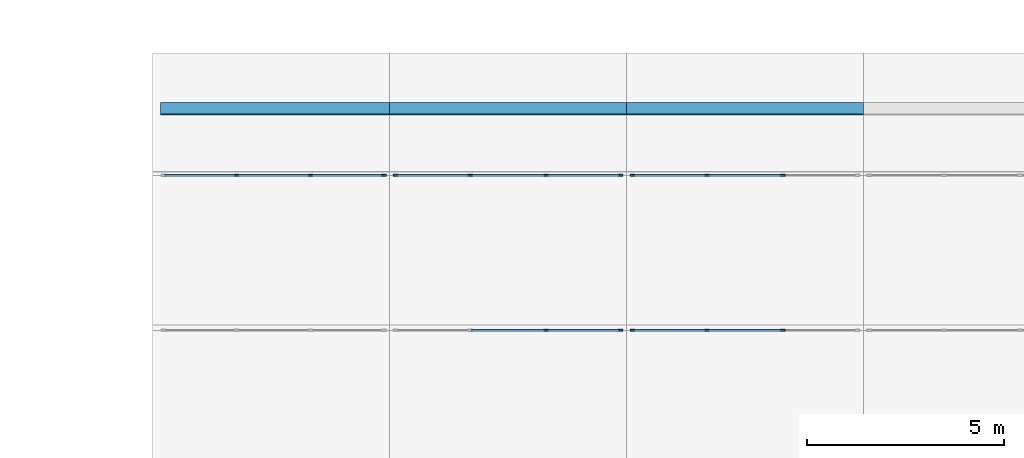
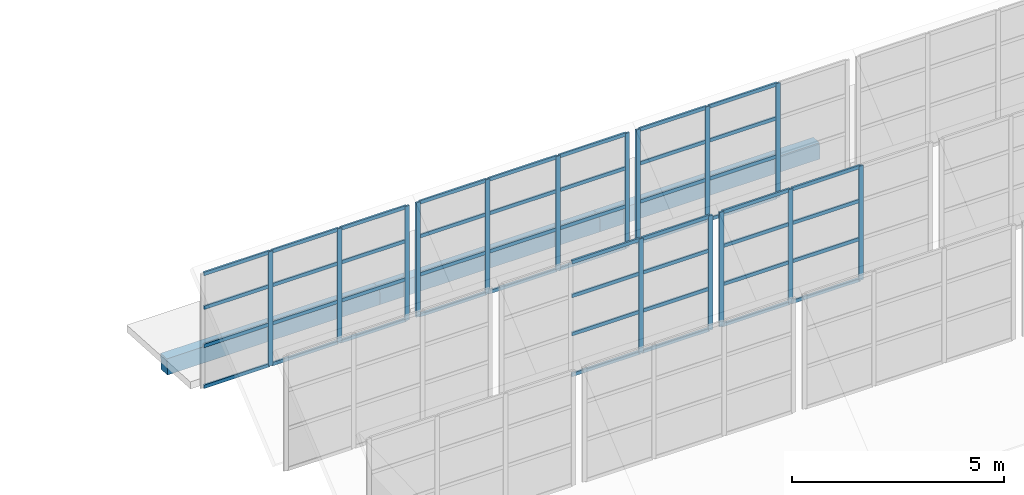
# One storey, part 26 of 122: 63 members, 3 beams, 5 elements without a shape of their own.
"""IFC4 building model written with IfcOpenShell, lengths in metres."""

from ifc_helpers import new_model, si_unit, direction, frame, origin, origin_2d, place, context, subcontext, project, spatial, rectangle, extrude, material, layer, layer_set, material_profile, profile_set, type_object, element, aggregate, save


model = new_model("IFC4")

# Units and contexts
model_context = context("Model", 3, precision=1e-05, world=origin(), true_north=direction((0.0, 1.0)))
body_context = subcontext(model_context, "Body", "Model", "MODEL_VIEW")
ifc_project = project(units=[si_unit("LENGTHUNIT", "METRE"), si_unit("AREAUNIT", "SQUARE_METRE"), si_unit("VOLUMEUNIT", "CUBIC_METRE"), si_unit("PLANEANGLEUNIT", "RADIAN"), si_unit("MASSUNIT", "GRAM", prefix="KILO")], contexts=[model_context])

# Site, building, storey
site_placement = place(None, origin())
site = spatial("IfcSite", under=ifc_project, at=site_placement, CompositionType="ELEMENT")
building_placement = place(site_placement, origin())
building = spatial("IfcBuilding", under=site, at=building_placement, Name="Ridgestep Commons", CompositionType="ELEMENT")
storey_placement = place(building_placement, frame((0.0, 0.0, 3.0)))
storey = spatial("IfcBuildingStorey", under=building, at=storey_placement, Name="L01", CompositionType="ELEMENT", Elevation=3.0)

# Beams
ifc_material_1 = material(Name="Precast concrete C40/50", Category="concrete")
ifc_material_profile_1 = material_profile(ifc_material_1, rectangle(XDim=0.300048828125, YDim=0.449951171875, at=origin_2d()), Name="Arcade beam 300 x 450")
ifc_profile_set_1 = profile_set([ifc_material_profile_1], Name="Precast concrete C40/50")
beam_type = type_object("IfcBeamType", Name="Arcade beam 300 x 450", PredefinedType="BEAM", material=ifc_profile_set_1)
beam_placement = place(storey_placement, frame((176.0, 47.58642578125, 0.87939453125), z_axis=(1.0, 0.0, 0.0), x_axis=(0.0, 0.998204845466, -0.05989229072)))
element("IfcBeam", 1, at=beam_placement, inside=storey, type_object=beam_type, Name="Arcade beam", PredefinedType="BEAM", context=body_context, shape_type="SweptSolid", body=[
    extrude(rectangle(XDim=0.300048828125, YDim=0.449951171875, at=origin_2d()), origin(), (0.0, 0.0, 1.0), 5.800048828125),
])
for number, where, z_axis, x_axis, name in (
    (2, (181.800048828125, 47.58642578125, 0.87939453125), (1.0, 0.0, 0.0), (0.0, 0.998204845466, -0.05989229072), "Arcade beam"),
    (3, (187.800048828125, 47.58642578125, 0.87939453125), (1.0, 0.0, 0.0), (0.0, 0.998204845466, -0.05989229072), "Arcade beam"),
):
    element("IfcBeam", number, at=place(storey_placement, frame(where, z_axis=z_axis, x_axis=x_axis)), inside=storey, type_object=beam_type, Name=name, PredefinedType="BEAM", context=body_context, shape_type="SweptSolid", body=[
        extrude(rectangle(XDim=0.300048828125, YDim=0.449951171875, at=origin_2d()), origin(), (0.0, 0.0, 1.0), 6.0),
    ])

# Curtain wall, members
ifc_material_2 = material(Name="Aluminium and glass", Category="aluminium")
ifc_layer = layer(ifc_material_2, 0.14990234375)
ifc_layer_set = layer_set([ifc_layer], Name="Shop clerestory curtain wall")
curtain_wall_type = type_object("IfcCurtainWallType", Name="Shop clerestory curtain wall", PredefinedType="NOTDEFINED", material=ifc_layer_set)
curtain_wall_1_placement = place(storey_placement, origin())
curtain_wall_1 = element("IfcCurtainWall", 4, at=curtain_wall_1_placement, inside=storey, type_object=curtain_wall_type, Name="Shop clerestory curtain wall", PredefinedType="NOTDEFINED")
ifc_material_3 = material(Name="Aluminium", Category="aluminium")
ifc_material_profile_2 = material_profile(ifc_material_3, rectangle(XDim=0.050048828125, YDim=0.1201171875, at=origin_2d()), Name="Shop clerestory mullion 50 x 120")
ifc_profile_set_2 = profile_set([ifc_material_profile_2], Name="Aluminium")
member_type_1 = type_object("IfcMemberType", Name="Shop clerestory mullion 50 x 120", PredefinedType="MULLION", material=ifc_profile_set_2)
member_1_placement = place(storey_placement, frame((177.925048828125, 45.89990234375, 1.199951171875), z_axis=(0.0, 0.0, 1.0), x_axis=(0.0, 1.0, 0.0)))
member_1 = element("IfcMember", 5, at=member_1_placement, type_object=member_type_1, Name="CW5 mullion 2", PredefinedType="MULLION", context=body_context, shape_type="SweptSolid", body=[
    extrude(rectangle(XDim=0.050048828125, YDim=0.1201171875, at=origin_2d()), origin(), (0.0, 0.0, 1.0), 3.300048828125),
])
member_2_placement = place(storey_placement, frame((179.800048828125, 45.89990234375, 1.199951171875), z_axis=(0.0, 0.0, 1.0), x_axis=(0.0, 1.0, 0.0)))
member_2 = element("IfcMember", 6, at=member_2_placement, type_object=member_type_1, Name="CW5 mullion 3", PredefinedType="MULLION", context=body_context, shape_type="SweptSolid", body=[
    extrude(rectangle(XDim=0.050048828125, YDim=0.1201171875, at=origin_2d()), origin(), (0.0, 0.0, 1.0), 3.300048828125),
])
member_3_placement = place(storey_placement, frame((181.64990234375, 45.89990234375, 1.199951171875), z_axis=(0.0, 0.0, 1.0), x_axis=(0.0, 1.0, 0.0)))
member_3 = element("IfcMember", 7, at=member_3_placement, type_object=member_type_1, Name="CW5 mullion 4", PredefinedType="MULLION", context=body_context, shape_type="SweptSolid", body=[
    extrude(rectangle(XDim=0.050048828125, YDim=0.1201171875, at=origin_2d()), origin(), (0.0, 0.0, 1.0), 3.300048828125),
])

curtain_wall_2_placement = place(storey_placement, origin())
curtain_wall_2 = element("IfcCurtainWall", 8, at=curtain_wall_2_placement, inside=storey, type_object=curtain_wall_type, Name="Shop clerestory curtain wall", PredefinedType="NOTDEFINED")
member_4_placement = place(storey_placement, frame((185.75830078125, 41.97509765625, 1.199951171875), z_axis=(0.0, 0.0, 1.0), x_axis=(0.0, 1.0, 0.0)))
member_4 = element("IfcMember", 9, at=member_4_placement, type_object=member_type_1, Name="CW5 mullion 3", PredefinedType="MULLION", context=body_context, shape_type="SweptSolid", body=[
    extrude(rectangle(XDim=0.050048828125, YDim=0.1201171875, at=origin_2d()), origin(), (0.0, 0.0, 1.0), 3.300048828125),
])
member_5_placement = place(storey_placement, frame((187.64990234375, 41.97509765625, 1.199951171875), z_axis=(0.0, 0.0, 1.0), x_axis=(0.0, 1.0, 0.0)))
member_5 = element("IfcMember", 10, at=member_5_placement, type_object=member_type_1, Name="CW5 mullion 4", PredefinedType="MULLION", context=body_context, shape_type="SweptSolid", body=[
    extrude(rectangle(XDim=0.050048828125, YDim=0.1201171875, at=origin_2d()), origin(), (0.0, 0.0, 1.0), 3.300048828125),
])

curtain_wall_3_placement = place(storey_placement, origin())
curtain_wall_3 = element("IfcCurtainWall", 11, at=curtain_wall_3_placement, inside=storey, type_object=curtain_wall_type, Name="Shop clerestory curtain wall", PredefinedType="NOTDEFINED")
member_6_placement = place(storey_placement, frame((181.949951171875, 45.89990234375, 1.199951171875), z_axis=(0.0, 0.0, 1.0), x_axis=(0.0, 1.0, 0.0)))
member_6 = element("IfcMember", 12, at=member_6_placement, type_object=member_type_1, Name="CW5 mullion 1", PredefinedType="MULLION", context=body_context, shape_type="SweptSolid", body=[
    extrude(rectangle(XDim=0.050048828125, YDim=0.1201171875, at=origin_2d()), origin(), (0.0, 0.0, 1.0), 3.300048828125),
])
member_7_placement = place(storey_placement, frame((183.841552734375, 45.89990234375, 1.199951171875), z_axis=(0.0, 0.0, 1.0), x_axis=(0.0, 1.0, 0.0)))
member_7 = element("IfcMember", 13, at=member_7_placement, type_object=member_type_1, Name="CW5 mullion 2", PredefinedType="MULLION", context=body_context, shape_type="SweptSolid", body=[
    extrude(rectangle(XDim=0.050048828125, YDim=0.1201171875, at=origin_2d()), origin(), (0.0, 0.0, 1.0), 3.300048828125),
])
member_8_placement = place(storey_placement, frame((185.75830078125, 45.89990234375, 1.199951171875), z_axis=(0.0, 0.0, 1.0), x_axis=(0.0, 1.0, 0.0)))
member_8 = element("IfcMember", 14, at=member_8_placement, type_object=member_type_1, Name="CW5 mullion 3", PredefinedType="MULLION", context=body_context, shape_type="SweptSolid", body=[
    extrude(rectangle(XDim=0.050048828125, YDim=0.1201171875, at=origin_2d()), origin(), (0.0, 0.0, 1.0), 3.300048828125),
])
member_9_placement = place(storey_placement, frame((187.64990234375, 45.89990234375, 1.199951171875), z_axis=(0.0, 0.0, 1.0), x_axis=(0.0, 1.0, 0.0)))
member_9 = element("IfcMember", 15, at=member_9_placement, type_object=member_type_1, Name="CW5 mullion 4", PredefinedType="MULLION", context=body_context, shape_type="SweptSolid", body=[
    extrude(rectangle(XDim=0.050048828125, YDim=0.1201171875, at=origin_2d()), origin(), (0.0, 0.0, 1.0), 3.300048828125),
])

curtain_wall_4_placement = place(storey_placement, origin())
curtain_wall_4 = element("IfcCurtainWall", 16, at=curtain_wall_4_placement, inside=storey, type_object=curtain_wall_type, Name="Shop clerestory curtain wall", PredefinedType="NOTDEFINED")
member_10_placement = place(storey_placement, frame((187.949951171875, 41.97509765625, 1.199951171875), z_axis=(0.0, 0.0, 1.0), x_axis=(0.0, 1.0, 0.0)))
member_10 = element("IfcMember", 17, at=member_10_placement, type_object=member_type_1, Name="CW5 mullion 1", PredefinedType="MULLION", context=body_context, shape_type="SweptSolid", body=[
    extrude(rectangle(XDim=0.050048828125, YDim=0.1201171875, at=origin_2d()), origin(), (0.0, 0.0, 1.0), 3.300048828125),
])
member_11_placement = place(storey_placement, frame((189.841552734375, 41.97509765625, 1.199951171875), z_axis=(0.0, 0.0, 1.0), x_axis=(0.0, 1.0, 0.0)))
member_11 = element("IfcMember", 18, at=member_11_placement, type_object=member_type_1, Name="CW5 mullion 2", PredefinedType="MULLION", context=body_context, shape_type="SweptSolid", body=[
    extrude(rectangle(XDim=0.050048828125, YDim=0.1201171875, at=origin_2d()), origin(), (0.0, 0.0, 1.0), 3.300048828125),
])
member_12_placement = place(storey_placement, frame((191.75830078125, 41.97509765625, 1.199951171875), z_axis=(0.0, 0.0, 1.0), x_axis=(0.0, 1.0, 0.0)))
member_12 = element("IfcMember", 19, at=member_12_placement, type_object=member_type_1, Name="CW5 mullion 3", PredefinedType="MULLION", context=body_context, shape_type="SweptSolid", body=[
    extrude(rectangle(XDim=0.050048828125, YDim=0.1201171875, at=origin_2d()), origin(), (0.0, 0.0, 1.0), 3.300048828125),
])

curtain_wall_5_placement = place(storey_placement, origin())
curtain_wall_5 = element("IfcCurtainWall", 20, at=curtain_wall_5_placement, inside=storey, type_object=curtain_wall_type, Name="Shop clerestory curtain wall", PredefinedType="NOTDEFINED")
member_13_placement = place(storey_placement, frame((187.949951171875, 45.89990234375, 1.199951171875), z_axis=(0.0, 0.0, 1.0), x_axis=(0.0, 1.0, 0.0)))
member_13 = element("IfcMember", 21, at=member_13_placement, type_object=member_type_1, Name="CW5 mullion 1", PredefinedType="MULLION", context=body_context, shape_type="SweptSolid", body=[
    extrude(rectangle(XDim=0.050048828125, YDim=0.1201171875, at=origin_2d()), origin(), (0.0, 0.0, 1.0), 3.300048828125),
])
member_14_placement = place(storey_placement, frame((189.841552734375, 45.89990234375, 1.199951171875), z_axis=(0.0, 0.0, 1.0), x_axis=(0.0, 1.0, 0.0)))
member_14 = element("IfcMember", 22, at=member_14_placement, type_object=member_type_1, Name="CW5 mullion 2", PredefinedType="MULLION", context=body_context, shape_type="SweptSolid", body=[
    extrude(rectangle(XDim=0.050048828125, YDim=0.1201171875, at=origin_2d()), origin(), (0.0, 0.0, 1.0), 3.300048828125),
])
member_15_placement = place(storey_placement, frame((191.75830078125, 45.89990234375, 1.199951171875), z_axis=(0.0, 0.0, 1.0), x_axis=(0.0, 1.0, 0.0)))
member_15 = element("IfcMember", 23, at=member_15_placement, type_object=member_type_1, Name="CW5 mullion 3", PredefinedType="MULLION", context=body_context, shape_type="SweptSolid", body=[
    extrude(rectangle(XDim=0.050048828125, YDim=0.1201171875, at=origin_2d()), origin(), (0.0, 0.0, 1.0), 3.300048828125),
])

# Member
ifc_material_4 = material(Name="Aluminium", Category="aluminium")
ifc_material_profile_3 = material_profile(ifc_material_4, rectangle(XDim=0.050048828125, YDim=0.10009765625, at=origin_2d()), Name="Shop clerestory transom 50 x 100")
ifc_profile_set_3 = profile_set([ifc_material_profile_3], Name="Aluminium")
member_type_2 = type_object("IfcMemberType", Name="Shop clerestory transom 50 x 100", PredefinedType="USERDEFINED", material=ifc_profile_set_3)
member_16_placement = place(storey_placement, frame((176.10009765625, 45.89990234375, 1.22509765625), z_axis=(1.0, 0.0, 0.0), x_axis=(0.0, 1.0, 0.0)))
member_16 = element("IfcMember", 24, at=member_16_placement, type_object=member_type_2, Name="CW5 transom 1.1", ObjectType="TRANSOM", PredefinedType="USERDEFINED", context=body_context, shape_type="SweptSolid", body=[
    extrude(rectangle(XDim=0.050048828125, YDim=0.10009765625, at=origin_2d()), origin(), (0.0, 0.0, 1.0), 1.7998046875),
])

member_17_placement = place(storey_placement, frame((176.10009765625, 45.89990234375, 2.39990234375), z_axis=(1.0, 0.0, 0.0), x_axis=(0.0, 1.0, 0.0)))
member_17 = element("IfcMember", 25, at=member_17_placement, type_object=member_type_2, Name="CW5 transom 1.2", ObjectType="TRANSOM", PredefinedType="USERDEFINED", context=body_context, shape_type="SweptSolid", body=[
    extrude(rectangle(XDim=0.050048828125, YDim=0.10009765625, at=origin_2d()), origin(), (0.0, 0.0, 1.0), 1.7998046875),
])

member_18_placement = place(storey_placement, frame((176.10009765625, 45.89990234375, 3.5), z_axis=(1.0, 0.0, 0.0), x_axis=(0.0, 1.0, 0.0)))
member_18 = element("IfcMember", 26, at=member_18_placement, type_object=member_type_2, Name="CW5 transom 1.3", ObjectType="TRANSOM", PredefinedType="USERDEFINED", context=body_context, shape_type="SweptSolid", body=[
    extrude(rectangle(XDim=0.050048828125, YDim=0.10009765625, at=origin_2d()), origin(), (0.0, 0.0, 1.0), 1.7998046875),
])

member_19_placement = place(storey_placement, frame((176.10009765625, 45.89990234375, 4.47509765625), z_axis=(1.0, 0.0, 0.0), x_axis=(0.0, 1.0, 0.0)))
member_19 = element("IfcMember", 27, at=member_19_placement, type_object=member_type_2, Name="CW5 transom 1.4", ObjectType="TRANSOM", PredefinedType="USERDEFINED", context=body_context, shape_type="SweptSolid", body=[
    extrude(rectangle(XDim=0.050048828125, YDim=0.10009765625, at=origin_2d()), origin(), (0.0, 0.0, 1.0), 1.7998046875),
])

member_20_placement = place(storey_placement, frame((177.949951171875, 45.89990234375, 1.22509765625), z_axis=(1.0, 0.0, 0.0), x_axis=(0.0, 1.0, 0.0)))
member_20 = element("IfcMember", 28, at=member_20_placement, type_object=member_type_2, Name="CW5 transom 2.1", ObjectType="TRANSOM", PredefinedType="USERDEFINED", context=body_context, shape_type="SweptSolid", body=[
    extrude(rectangle(XDim=0.050048828125, YDim=0.10009765625, at=origin_2d()), origin(), (0.0, 0.0, 1.0), 1.824951171875),
])

member_21_placement = place(storey_placement, frame((177.949951171875, 45.89990234375, 2.39990234375), z_axis=(1.0, 0.0, 0.0), x_axis=(0.0, 1.0, 0.0)))
member_21 = element("IfcMember", 29, at=member_21_placement, type_object=member_type_2, Name="CW5 transom 2.2", ObjectType="TRANSOM", PredefinedType="USERDEFINED", context=body_context, shape_type="SweptSolid", body=[
    extrude(rectangle(XDim=0.050048828125, YDim=0.10009765625, at=origin_2d()), origin(), (0.0, 0.0, 1.0), 1.824951171875),
])

member_22_placement = place(storey_placement, frame((177.949951171875, 45.89990234375, 3.5), z_axis=(1.0, 0.0, 0.0), x_axis=(0.0, 1.0, 0.0)))
member_22 = element("IfcMember", 30, at=member_22_placement, type_object=member_type_2, Name="CW5 transom 2.3", ObjectType="TRANSOM", PredefinedType="USERDEFINED", context=body_context, shape_type="SweptSolid", body=[
    extrude(rectangle(XDim=0.050048828125, YDim=0.10009765625, at=origin_2d()), origin(), (0.0, 0.0, 1.0), 1.824951171875),
])

member_23_placement = place(storey_placement, frame((177.949951171875, 45.89990234375, 4.47509765625), z_axis=(1.0, 0.0, 0.0), x_axis=(0.0, 1.0, 0.0)))
member_23 = element("IfcMember", 31, at=member_23_placement, type_object=member_type_2, Name="CW5 transom 2.4", ObjectType="TRANSOM", PredefinedType="USERDEFINED", context=body_context, shape_type="SweptSolid", body=[
    extrude(rectangle(XDim=0.050048828125, YDim=0.10009765625, at=origin_2d()), origin(), (0.0, 0.0, 1.0), 1.824951171875),
])

member_24_placement = place(storey_placement, frame((179.824951171875, 45.89990234375, 1.22509765625), z_axis=(1.0, 0.0, 0.0), x_axis=(0.0, 1.0, 0.0)))
member_24 = element("IfcMember", 32, at=member_24_placement, type_object=member_type_2, Name="CW5 transom 3.1", ObjectType="TRANSOM", PredefinedType="USERDEFINED", context=body_context, shape_type="SweptSolid", body=[
    extrude(rectangle(XDim=0.050048828125, YDim=0.10009765625, at=origin_2d()), origin(), (0.0, 0.0, 1.0), 1.800048828125),
])

member_25_placement = place(storey_placement, frame((179.824951171875, 45.89990234375, 2.39990234375), z_axis=(1.0, 0.0, 0.0), x_axis=(0.0, 1.0, 0.0)))
member_25 = element("IfcMember", 33, at=member_25_placement, type_object=member_type_2, Name="CW5 transom 3.2", ObjectType="TRANSOM", PredefinedType="USERDEFINED", context=body_context, shape_type="SweptSolid", body=[
    extrude(rectangle(XDim=0.050048828125, YDim=0.10009765625, at=origin_2d()), origin(), (0.0, 0.0, 1.0), 1.800048828125),
])

member_26_placement = place(storey_placement, frame((179.824951171875, 45.89990234375, 3.5), z_axis=(1.0, 0.0, 0.0), x_axis=(0.0, 1.0, 0.0)))
member_26 = element("IfcMember", 34, at=member_26_placement, type_object=member_type_2, Name="CW5 transom 3.3", ObjectType="TRANSOM", PredefinedType="USERDEFINED", context=body_context, shape_type="SweptSolid", body=[
    extrude(rectangle(XDim=0.050048828125, YDim=0.10009765625, at=origin_2d()), origin(), (0.0, 0.0, 1.0), 1.800048828125),
])

member_27_placement = place(storey_placement, frame((179.824951171875, 45.89990234375, 4.47509765625), z_axis=(1.0, 0.0, 0.0), x_axis=(0.0, 1.0, 0.0)))
member_27 = element("IfcMember", 35, at=member_27_placement, type_object=member_type_2, Name="CW5 transom 3.4", ObjectType="TRANSOM", PredefinedType="USERDEFINED", context=body_context, shape_type="SweptSolid", body=[
    extrude(rectangle(XDim=0.050048828125, YDim=0.10009765625, at=origin_2d()), origin(), (0.0, 0.0, 1.0), 1.800048828125),
])

aggregate(curtain_wall_1, [member_1, member_2, member_3, member_16, member_17, member_18, member_19, member_20, member_21, member_22, member_23, member_24, member_25, member_26, member_27])

member_28_placement = place(storey_placement, frame((183.86669921875, 41.97509765625, 1.22509765625), z_axis=(1.0, 0.0, 0.0), x_axis=(0.0, 1.0, 0.0)))
member_28 = element("IfcMember", 36, at=member_28_placement, type_object=member_type_2, Name="CW5 transom 2.1", ObjectType="TRANSOM", PredefinedType="USERDEFINED", context=body_context, shape_type="SweptSolid", body=[
    extrude(rectangle(XDim=0.050048828125, YDim=0.10009765625, at=origin_2d()), origin(), (0.0, 0.0, 1.0), 1.86669921875),
])

member_29_placement = place(storey_placement, frame((183.86669921875, 41.97509765625, 2.39990234375), z_axis=(1.0, 0.0, 0.0), x_axis=(0.0, 1.0, 0.0)))
member_29 = element("IfcMember", 37, at=member_29_placement, type_object=member_type_2, Name="CW5 transom 2.2", ObjectType="TRANSOM", PredefinedType="USERDEFINED", context=body_context, shape_type="SweptSolid", body=[
    extrude(rectangle(XDim=0.050048828125, YDim=0.10009765625, at=origin_2d()), origin(), (0.0, 0.0, 1.0), 1.86669921875),
])

member_30_placement = place(storey_placement, frame((183.86669921875, 41.97509765625, 3.5), z_axis=(1.0, 0.0, 0.0), x_axis=(0.0, 1.0, 0.0)))
member_30 = element("IfcMember", 38, at=member_30_placement, type_object=member_type_2, Name="CW5 transom 2.3", ObjectType="TRANSOM", PredefinedType="USERDEFINED", context=body_context, shape_type="SweptSolid", body=[
    extrude(rectangle(XDim=0.050048828125, YDim=0.10009765625, at=origin_2d()), origin(), (0.0, 0.0, 1.0), 1.86669921875),
])

member_31_placement = place(storey_placement, frame((183.86669921875, 41.97509765625, 4.47509765625), z_axis=(1.0, 0.0, 0.0), x_axis=(0.0, 1.0, 0.0)))
member_31 = element("IfcMember", 39, at=member_31_placement, type_object=member_type_2, Name="CW5 transom 2.4", ObjectType="TRANSOM", PredefinedType="USERDEFINED", context=body_context, shape_type="SweptSolid", body=[
    extrude(rectangle(XDim=0.050048828125, YDim=0.10009765625, at=origin_2d()), origin(), (0.0, 0.0, 1.0), 1.86669921875),
])

member_32_placement = place(storey_placement, frame((185.783447265625, 41.97509765625, 1.22509765625), z_axis=(1.0, 0.0, 0.0), x_axis=(0.0, 1.0, 0.0)))
member_32 = element("IfcMember", 40, at=member_32_placement, type_object=member_type_2, Name="CW5 transom 3.1", ObjectType="TRANSOM", PredefinedType="USERDEFINED", context=body_context, shape_type="SweptSolid", body=[
    extrude(rectangle(XDim=0.050048828125, YDim=0.10009765625, at=origin_2d()), origin(), (0.0, 0.0, 1.0), 1.841552734375),
])

member_33_placement = place(storey_placement, frame((185.783447265625, 41.97509765625, 2.39990234375), z_axis=(1.0, 0.0, 0.0), x_axis=(0.0, 1.0, 0.0)))
member_33 = element("IfcMember", 41, at=member_33_placement, type_object=member_type_2, Name="CW5 transom 3.2", ObjectType="TRANSOM", PredefinedType="USERDEFINED", context=body_context, shape_type="SweptSolid", body=[
    extrude(rectangle(XDim=0.050048828125, YDim=0.10009765625, at=origin_2d()), origin(), (0.0, 0.0, 1.0), 1.841552734375),
])

member_34_placement = place(storey_placement, frame((185.783447265625, 41.97509765625, 3.5), z_axis=(1.0, 0.0, 0.0), x_axis=(0.0, 1.0, 0.0)))
member_34 = element("IfcMember", 42, at=member_34_placement, type_object=member_type_2, Name="CW5 transom 3.3", ObjectType="TRANSOM", PredefinedType="USERDEFINED", context=body_context, shape_type="SweptSolid", body=[
    extrude(rectangle(XDim=0.050048828125, YDim=0.10009765625, at=origin_2d()), origin(), (0.0, 0.0, 1.0), 1.841552734375),
])

member_35_placement = place(storey_placement, frame((185.783447265625, 41.97509765625, 4.47509765625), z_axis=(1.0, 0.0, 0.0), x_axis=(0.0, 1.0, 0.0)))
member_35 = element("IfcMember", 43, at=member_35_placement, type_object=member_type_2, Name="CW5 transom 3.4", ObjectType="TRANSOM", PredefinedType="USERDEFINED", context=body_context, shape_type="SweptSolid", body=[
    extrude(rectangle(XDim=0.050048828125, YDim=0.10009765625, at=origin_2d()), origin(), (0.0, 0.0, 1.0), 1.841552734375),
])

aggregate(curtain_wall_2, [member_4, member_5, member_28, member_29, member_30, member_31, member_32, member_33, member_34, member_35])

member_36_placement = place(storey_placement, frame((181.97509765625, 45.89990234375, 1.22509765625), z_axis=(1.0, 0.0, 0.0), x_axis=(0.0, 1.0, 0.0)))
member_36 = element("IfcMember", 44, at=member_36_placement, type_object=member_type_2, Name="CW5 transom 1.1", ObjectType="TRANSOM", PredefinedType="USERDEFINED", context=body_context, shape_type="SweptSolid", body=[
    extrude(rectangle(XDim=0.050048828125, YDim=0.10009765625, at=origin_2d()), origin(), (0.0, 0.0, 1.0), 1.841552734375),
])

member_37_placement = place(storey_placement, frame((181.97509765625, 45.89990234375, 2.39990234375), z_axis=(1.0, 0.0, 0.0), x_axis=(0.0, 1.0, 0.0)))
member_37 = element("IfcMember", 45, at=member_37_placement, type_object=member_type_2, Name="CW5 transom 1.2", ObjectType="TRANSOM", PredefinedType="USERDEFINED", context=body_context, shape_type="SweptSolid", body=[
    extrude(rectangle(XDim=0.050048828125, YDim=0.10009765625, at=origin_2d()), origin(), (0.0, 0.0, 1.0), 1.841552734375),
])

member_38_placement = place(storey_placement, frame((181.97509765625, 45.89990234375, 3.5), z_axis=(1.0, 0.0, 0.0), x_axis=(0.0, 1.0, 0.0)))
member_38 = element("IfcMember", 46, at=member_38_placement, type_object=member_type_2, Name="CW5 transom 1.3", ObjectType="TRANSOM", PredefinedType="USERDEFINED", context=body_context, shape_type="SweptSolid", body=[
    extrude(rectangle(XDim=0.050048828125, YDim=0.10009765625, at=origin_2d()), origin(), (0.0, 0.0, 1.0), 1.841552734375),
])

member_39_placement = place(storey_placement, frame((181.97509765625, 45.89990234375, 4.47509765625), z_axis=(1.0, 0.0, 0.0), x_axis=(0.0, 1.0, 0.0)))
member_39 = element("IfcMember", 47, at=member_39_placement, type_object=member_type_2, Name="CW5 transom 1.4", ObjectType="TRANSOM", PredefinedType="USERDEFINED", context=body_context, shape_type="SweptSolid", body=[
    extrude(rectangle(XDim=0.050048828125, YDim=0.10009765625, at=origin_2d()), origin(), (0.0, 0.0, 1.0), 1.841552734375),
])

member_40_placement = place(storey_placement, frame((183.86669921875, 45.89990234375, 1.22509765625), z_axis=(1.0, 0.0, 0.0), x_axis=(0.0, 1.0, 0.0)))
member_40 = element("IfcMember", 48, at=member_40_placement, type_object=member_type_2, Name="CW5 transom 2.1", ObjectType="TRANSOM", PredefinedType="USERDEFINED", context=body_context, shape_type="SweptSolid", body=[
    extrude(rectangle(XDim=0.050048828125, YDim=0.10009765625, at=origin_2d()), origin(), (0.0, 0.0, 1.0), 1.86669921875),
])

member_41_placement = place(storey_placement, frame((183.86669921875, 45.89990234375, 2.39990234375), z_axis=(1.0, 0.0, 0.0), x_axis=(0.0, 1.0, 0.0)))
member_41 = element("IfcMember", 49, at=member_41_placement, type_object=member_type_2, Name="CW5 transom 2.2", ObjectType="TRANSOM", PredefinedType="USERDEFINED", context=body_context, shape_type="SweptSolid", body=[
    extrude(rectangle(XDim=0.050048828125, YDim=0.10009765625, at=origin_2d()), origin(), (0.0, 0.0, 1.0), 1.86669921875),
])

member_42_placement = place(storey_placement, frame((183.86669921875, 45.89990234375, 3.5), z_axis=(1.0, 0.0, 0.0), x_axis=(0.0, 1.0, 0.0)))
member_42 = element("IfcMember", 50, at=member_42_placement, type_object=member_type_2, Name="CW5 transom 2.3", ObjectType="TRANSOM", PredefinedType="USERDEFINED", context=body_context, shape_type="SweptSolid", body=[
    extrude(rectangle(XDim=0.050048828125, YDim=0.10009765625, at=origin_2d()), origin(), (0.0, 0.0, 1.0), 1.86669921875),
])

member_43_placement = place(storey_placement, frame((183.86669921875, 45.89990234375, 4.47509765625), z_axis=(1.0, 0.0, 0.0), x_axis=(0.0, 1.0, 0.0)))
member_43 = element("IfcMember", 51, at=member_43_placement, type_object=member_type_2, Name="CW5 transom 2.4", ObjectType="TRANSOM", PredefinedType="USERDEFINED", context=body_context, shape_type="SweptSolid", body=[
    extrude(rectangle(XDim=0.050048828125, YDim=0.10009765625, at=origin_2d()), origin(), (0.0, 0.0, 1.0), 1.86669921875),
])

member_44_placement = place(storey_placement, frame((185.783447265625, 45.89990234375, 1.22509765625), z_axis=(1.0, 0.0, 0.0), x_axis=(0.0, 1.0, 0.0)))
member_44 = element("IfcMember", 52, at=member_44_placement, type_object=member_type_2, Name="CW5 transom 3.1", ObjectType="TRANSOM", PredefinedType="USERDEFINED", context=body_context, shape_type="SweptSolid", body=[
    extrude(rectangle(XDim=0.050048828125, YDim=0.10009765625, at=origin_2d()), origin(), (0.0, 0.0, 1.0), 1.841552734375),
])

member_45_placement = place(storey_placement, frame((185.783447265625, 45.89990234375, 2.39990234375), z_axis=(1.0, 0.0, 0.0), x_axis=(0.0, 1.0, 0.0)))
member_45 = element("IfcMember", 53, at=member_45_placement, type_object=member_type_2, Name="CW5 transom 3.2", ObjectType="TRANSOM", PredefinedType="USERDEFINED", context=body_context, shape_type="SweptSolid", body=[
    extrude(rectangle(XDim=0.050048828125, YDim=0.10009765625, at=origin_2d()), origin(), (0.0, 0.0, 1.0), 1.841552734375),
])

member_46_placement = place(storey_placement, frame((185.783447265625, 45.89990234375, 3.5), z_axis=(1.0, 0.0, 0.0), x_axis=(0.0, 1.0, 0.0)))
member_46 = element("IfcMember", 54, at=member_46_placement, type_object=member_type_2, Name="CW5 transom 3.3", ObjectType="TRANSOM", PredefinedType="USERDEFINED", context=body_context, shape_type="SweptSolid", body=[
    extrude(rectangle(XDim=0.050048828125, YDim=0.10009765625, at=origin_2d()), origin(), (0.0, 0.0, 1.0), 1.841552734375),
])

member_47_placement = place(storey_placement, frame((185.783447265625, 45.89990234375, 4.47509765625), z_axis=(1.0, 0.0, 0.0), x_axis=(0.0, 1.0, 0.0)))
member_47 = element("IfcMember", 55, at=member_47_placement, type_object=member_type_2, Name="CW5 transom 3.4", ObjectType="TRANSOM", PredefinedType="USERDEFINED", context=body_context, shape_type="SweptSolid", body=[
    extrude(rectangle(XDim=0.050048828125, YDim=0.10009765625, at=origin_2d()), origin(), (0.0, 0.0, 1.0), 1.841552734375),
])

aggregate(curtain_wall_3, [member_6, member_7, member_8, member_9, member_36, member_37, member_38, member_39, member_40, member_41, member_42, member_43, member_44, member_45, member_46, member_47])

member_48_placement = place(storey_placement, frame((187.97509765625, 41.97509765625, 1.22509765625), z_axis=(1.0, 0.0, 0.0), x_axis=(0.0, 1.0, 0.0)))
member_48 = element("IfcMember", 56, at=member_48_placement, type_object=member_type_2, Name="CW5 transom 1.1", ObjectType="TRANSOM", PredefinedType="USERDEFINED", context=body_context, shape_type="SweptSolid", body=[
    extrude(rectangle(XDim=0.050048828125, YDim=0.10009765625, at=origin_2d()), origin(), (0.0, 0.0, 1.0), 1.841552734375),
])

member_49_placement = place(storey_placement, frame((187.97509765625, 41.97509765625, 2.39990234375), z_axis=(1.0, 0.0, 0.0), x_axis=(0.0, 1.0, 0.0)))
member_49 = element("IfcMember", 57, at=member_49_placement, type_object=member_type_2, Name="CW5 transom 1.2", ObjectType="TRANSOM", PredefinedType="USERDEFINED", context=body_context, shape_type="SweptSolid", body=[
    extrude(rectangle(XDim=0.050048828125, YDim=0.10009765625, at=origin_2d()), origin(), (0.0, 0.0, 1.0), 1.841552734375),
])

member_50_placement = place(storey_placement, frame((187.97509765625, 41.97509765625, 3.5), z_axis=(1.0, 0.0, 0.0), x_axis=(0.0, 1.0, 0.0)))
member_50 = element("IfcMember", 58, at=member_50_placement, type_object=member_type_2, Name="CW5 transom 1.3", ObjectType="TRANSOM", PredefinedType="USERDEFINED", context=body_context, shape_type="SweptSolid", body=[
    extrude(rectangle(XDim=0.050048828125, YDim=0.10009765625, at=origin_2d()), origin(), (0.0, 0.0, 1.0), 1.841552734375),
])

member_51_placement = place(storey_placement, frame((187.97509765625, 41.97509765625, 4.47509765625), z_axis=(1.0, 0.0, 0.0), x_axis=(0.0, 1.0, 0.0)))
member_51 = element("IfcMember", 59, at=member_51_placement, type_object=member_type_2, Name="CW5 transom 1.4", ObjectType="TRANSOM", PredefinedType="USERDEFINED", context=body_context, shape_type="SweptSolid", body=[
    extrude(rectangle(XDim=0.050048828125, YDim=0.10009765625, at=origin_2d()), origin(), (0.0, 0.0, 1.0), 1.841552734375),
])

member_52_placement = place(storey_placement, frame((189.86669921875, 41.97509765625, 1.22509765625), z_axis=(1.0, 0.0, 0.0), x_axis=(0.0, 1.0, 0.0)))
member_52 = element("IfcMember", 60, at=member_52_placement, type_object=member_type_2, Name="CW5 transom 2.1", ObjectType="TRANSOM", PredefinedType="USERDEFINED", context=body_context, shape_type="SweptSolid", body=[
    extrude(rectangle(XDim=0.050048828125, YDim=0.10009765625, at=origin_2d()), origin(), (0.0, 0.0, 1.0), 1.86669921875),
])

member_53_placement = place(storey_placement, frame((189.86669921875, 41.97509765625, 2.39990234375), z_axis=(1.0, 0.0, 0.0), x_axis=(0.0, 1.0, 0.0)))
member_53 = element("IfcMember", 61, at=member_53_placement, type_object=member_type_2, Name="CW5 transom 2.2", ObjectType="TRANSOM", PredefinedType="USERDEFINED", context=body_context, shape_type="SweptSolid", body=[
    extrude(rectangle(XDim=0.050048828125, YDim=0.10009765625, at=origin_2d()), origin(), (0.0, 0.0, 1.0), 1.86669921875),
])

member_54_placement = place(storey_placement, frame((189.86669921875, 41.97509765625, 3.5), z_axis=(1.0, 0.0, 0.0), x_axis=(0.0, 1.0, 0.0)))
member_54 = element("IfcMember", 62, at=member_54_placement, type_object=member_type_2, Name="CW5 transom 2.3", ObjectType="TRANSOM", PredefinedType="USERDEFINED", context=body_context, shape_type="SweptSolid", body=[
    extrude(rectangle(XDim=0.050048828125, YDim=0.10009765625, at=origin_2d()), origin(), (0.0, 0.0, 1.0), 1.86669921875),
])

member_55_placement = place(storey_placement, frame((189.86669921875, 41.97509765625, 4.47509765625), z_axis=(1.0, 0.0, 0.0), x_axis=(0.0, 1.0, 0.0)))
member_55 = element("IfcMember", 63, at=member_55_placement, type_object=member_type_2, Name="CW5 transom 2.4", ObjectType="TRANSOM", PredefinedType="USERDEFINED", context=body_context, shape_type="SweptSolid", body=[
    extrude(rectangle(XDim=0.050048828125, YDim=0.10009765625, at=origin_2d()), origin(), (0.0, 0.0, 1.0), 1.86669921875),
])

aggregate(curtain_wall_4, [member_10, member_11, member_12, member_48, member_49, member_50, member_51, member_52, member_53, member_54, member_55])

member_56_placement = place(storey_placement, frame((187.97509765625, 45.89990234375, 1.22509765625), z_axis=(1.0, 0.0, 0.0), x_axis=(0.0, 1.0, 0.0)))
member_56 = element("IfcMember", 64, at=member_56_placement, type_object=member_type_2, Name="CW5 transom 1.1", ObjectType="TRANSOM", PredefinedType="USERDEFINED", context=body_context, shape_type="SweptSolid", body=[
    extrude(rectangle(XDim=0.050048828125, YDim=0.10009765625, at=origin_2d()), origin(), (0.0, 0.0, 1.0), 1.841552734375),
])

member_57_placement = place(storey_placement, frame((187.97509765625, 45.89990234375, 2.39990234375), z_axis=(1.0, 0.0, 0.0), x_axis=(0.0, 1.0, 0.0)))
member_57 = element("IfcMember", 65, at=member_57_placement, type_object=member_type_2, Name="CW5 transom 1.2", ObjectType="TRANSOM", PredefinedType="USERDEFINED", context=body_context, shape_type="SweptSolid", body=[
    extrude(rectangle(XDim=0.050048828125, YDim=0.10009765625, at=origin_2d()), origin(), (0.0, 0.0, 1.0), 1.841552734375),
])

member_58_placement = place(storey_placement, frame((187.97509765625, 45.89990234375, 3.5), z_axis=(1.0, 0.0, 0.0), x_axis=(0.0, 1.0, 0.0)))
member_58 = element("IfcMember", 66, at=member_58_placement, type_object=member_type_2, Name="CW5 transom 1.3", ObjectType="TRANSOM", PredefinedType="USERDEFINED", context=body_context, shape_type="SweptSolid", body=[
    extrude(rectangle(XDim=0.050048828125, YDim=0.10009765625, at=origin_2d()), origin(), (0.0, 0.0, 1.0), 1.841552734375),
])

member_59_placement = place(storey_placement, frame((187.97509765625, 45.89990234375, 4.47509765625), z_axis=(1.0, 0.0, 0.0), x_axis=(0.0, 1.0, 0.0)))
member_59 = element("IfcMember", 67, at=member_59_placement, type_object=member_type_2, Name="CW5 transom 1.4", ObjectType="TRANSOM", PredefinedType="USERDEFINED", context=body_context, shape_type="SweptSolid", body=[
    extrude(rectangle(XDim=0.050048828125, YDim=0.10009765625, at=origin_2d()), origin(), (0.0, 0.0, 1.0), 1.841552734375),
])

member_60_placement = place(storey_placement, frame((189.86669921875, 45.89990234375, 1.22509765625), z_axis=(1.0, 0.0, 0.0), x_axis=(0.0, 1.0, 0.0)))
member_60 = element("IfcMember", 68, at=member_60_placement, type_object=member_type_2, Name="CW5 transom 2.1", ObjectType="TRANSOM", PredefinedType="USERDEFINED", context=body_context, shape_type="SweptSolid", body=[
    extrude(rectangle(XDim=0.050048828125, YDim=0.10009765625, at=origin_2d()), origin(), (0.0, 0.0, 1.0), 1.86669921875),
])

member_61_placement = place(storey_placement, frame((189.86669921875, 45.89990234375, 2.39990234375), z_axis=(1.0, 0.0, 0.0), x_axis=(0.0, 1.0, 0.0)))
member_61 = element("IfcMember", 69, at=member_61_placement, type_object=member_type_2, Name="CW5 transom 2.2", ObjectType="TRANSOM", PredefinedType="USERDEFINED", context=body_context, shape_type="SweptSolid", body=[
    extrude(rectangle(XDim=0.050048828125, YDim=0.10009765625, at=origin_2d()), origin(), (0.0, 0.0, 1.0), 1.86669921875),
])

member_62_placement = place(storey_placement, frame((189.86669921875, 45.89990234375, 3.5), z_axis=(1.0, 0.0, 0.0), x_axis=(0.0, 1.0, 0.0)))
member_62 = element("IfcMember", 70, at=member_62_placement, type_object=member_type_2, Name="CW5 transom 2.3", ObjectType="TRANSOM", PredefinedType="USERDEFINED", context=body_context, shape_type="SweptSolid", body=[
    extrude(rectangle(XDim=0.050048828125, YDim=0.10009765625, at=origin_2d()), origin(), (0.0, 0.0, 1.0), 1.86669921875),
])

member_63_placement = place(storey_placement, frame((189.86669921875, 45.89990234375, 4.47509765625), z_axis=(1.0, 0.0, 0.0), x_axis=(0.0, 1.0, 0.0)))
member_63 = element("IfcMember", 71, at=member_63_placement, type_object=member_type_2, Name="CW5 transom 2.4", ObjectType="TRANSOM", PredefinedType="USERDEFINED", context=body_context, shape_type="SweptSolid", body=[
    extrude(rectangle(XDim=0.050048828125, YDim=0.10009765625, at=origin_2d()), origin(), (0.0, 0.0, 1.0), 1.86669921875),
])

aggregate(curtain_wall_5, [member_13, member_14, member_15, member_56, member_57, member_58, member_59, member_60, member_61, member_62, member_63])

save(model, "model.ifc")
